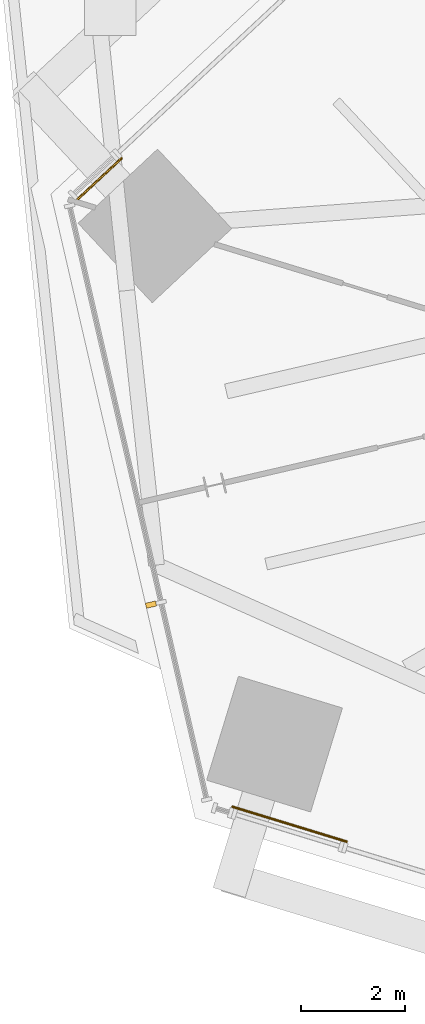
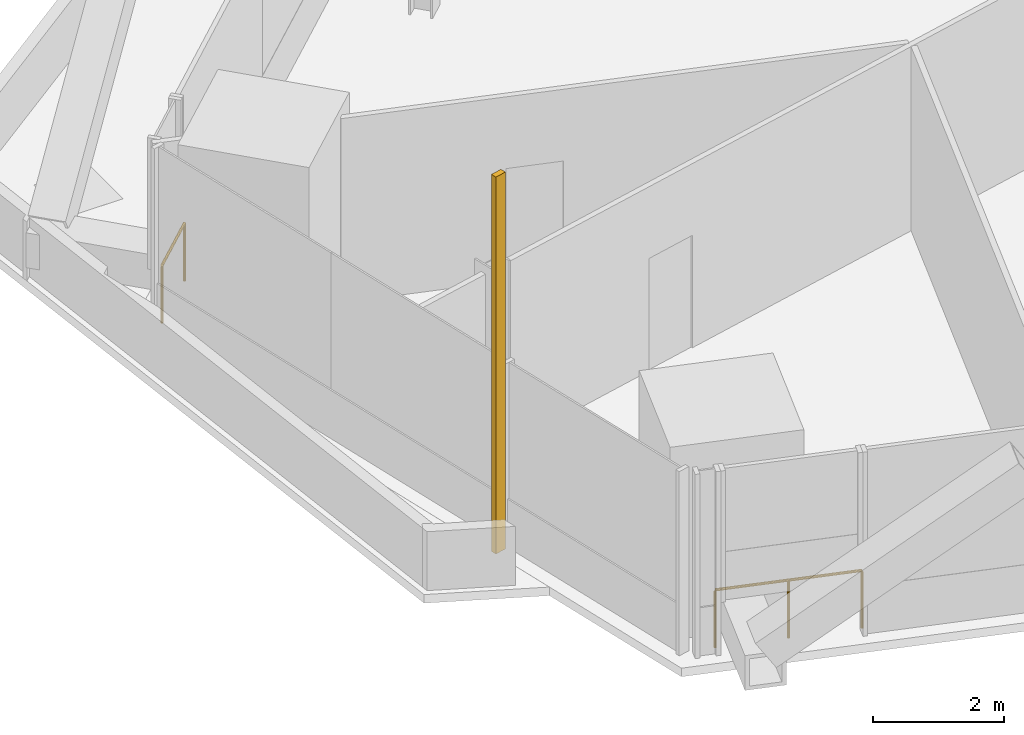
# One storey, part 22 of 25: 2 railings, 1 shading device.
"""IFC4 building model written with IfcOpenShell, lengths in metres."""

from ifc_helpers import new_model, si_unit, direction, frame, origin, origin_2d, place, context, subcontext, project, spatial, rectangle, circle, extrude, source, transform, mapped, material, type_object, element, save


model = new_model("IFC4")

# Units and contexts
model_context = context("Model", 3, precision=1e-05, world=origin(), true_north=direction((0.0, 1.0)))
body_context = subcontext(model_context, "Body", "Model", "MODEL_VIEW")
ifc_project = project(units=[si_unit("LENGTHUNIT", "METRE"), si_unit("AREAUNIT", "SQUARE_METRE"), si_unit("VOLUMEUNIT", "CUBIC_METRE"), si_unit("PLANEANGLEUNIT", "RADIAN"), si_unit("MASSUNIT", "GRAM", prefix="KILO")], contexts=[model_context])

# Site, building, storey
site_placement = place(None, origin())
site = spatial("IfcSite", under=ifc_project, at=site_placement, CompositionType="ELEMENT")
building_placement = place(site_placement, origin())
building = spatial("IfcBuilding", under=site, at=building_placement, Name="Triune Harvest Tower", CompositionType="ELEMENT")
storey_placement = place(building_placement, frame((0.0, 0.0, 98.300048828125)))
storey = spatial("IfcBuildingStorey", under=building, at=storey_placement, Name="L24", CompositionType="ELEMENT", Elevation=98.300048828125)

# Railings
ifc_material_1 = material(Name="Glass", Category="glass")
railing_type = type_object("IfcRailingType", Name="GD-3 facade guard 1100", PredefinedType="GUARDRAIL", material=ifc_material_1)
railing_1_placement = place(storey_placement, frame((-33.088623046875, -0.910888671875, 0.0)))
element("IfcRailing", 1, at=railing_1_placement, inside=storey, type_object=railing_type, Name="Facade guard B3-F3 L24.1.2", PredefinedType="GUARDRAIL", context=body_context, shape_type="SweptSolid", body=[
    extrude(circle(Radius=0.02392578125, at=origin_2d()), frame((0.0, 0.0, 1.076171875), z_axis=(-0.731359984091, -0.681991622875, 0.0), x_axis=(0.681991622875, -0.731359984091, 0.0)), (0.0, 0.0, 1.0), 1.172119140625),
    extrude(circle(Radius=0.02099609375, at=origin_2d()), origin(), (0.0, 0.0, 1.0), 1.052001953125),
    extrude(circle(Radius=0.02099609375, at=origin_2d()), frame((-0.857177734375, -0.79931640625, 0.0)), (0.0, 0.0, 1.0), 1.052001953125),
])
railing_2_placement = place(storey_placement, frame((-30.947509765625, -13.439208984375, 0.0)))
element("IfcRailing", 2, at=railing_2_placement, inside=storey, type_object=railing_type, Name="Facade guard B3-F5 L24.1.1", PredefinedType="GUARDRAIL", context=body_context, shape_type="SweptSolid", body=[
    extrude(circle(Radius=0.02392578125, at=origin_2d()), frame((0.0, 0.0, 1.076171875), z_axis=(0.956310492105, -0.292352941988, 0.0), x_axis=(0.292352941988, 0.956310492105, 0.0)), (0.0, 0.0, 1.0), 2.307373046875),
    extrude(circle(Radius=0.02099609375, at=origin_2d()), origin(), (0.0, 0.0, 1.0), 1.052001953125),
    extrude(circle(Radius=0.02099609375, at=origin_2d()), frame((1.103271484375, -0.33740234375, 0.0)), (0.0, 0.0, 1.0), 1.052001953125),
    extrude(circle(Radius=0.02099609375, at=origin_2d()), frame((2.20654296875, -0.674560546875, 0.0)), (0.0, 0.0, 1.0), 1.052001953125),
])

# Shading device
ifc_material_2 = material(Name="Aluminium bronze anodised", Category="aluminium")
shared_shape = source(origin(), body_context, "Body", "SweptSolid", [
    extrude(rectangle(XDim=0.10009765625, YDim=0.199951171875, at=origin_2d()), origin(), (0.0, 0.0, 1.0), 7.0400390625),
])
shading_device_placement = place(storey_placement, frame((-32.521484375, -9.53466796875, 0.0), z_axis=(0.0, 0.0, 1.0), x_axis=(0.224946950683, -0.974371012181, 0.0)))
element("IfcShadingDevice", 3, at=shading_device_placement, inside=storey, material=ifc_material_2, Name="FN-1 fin B3-F4.3 L24", ObjectType="FIN", PredefinedType="USERDEFINED", context=body_context, shape_type="MappedRepresentation", body=[
    mapped(shared_shape, transform((0.0, 0.0, 0.0), scale=1.0)),
])

save(model, "model.ifc")
